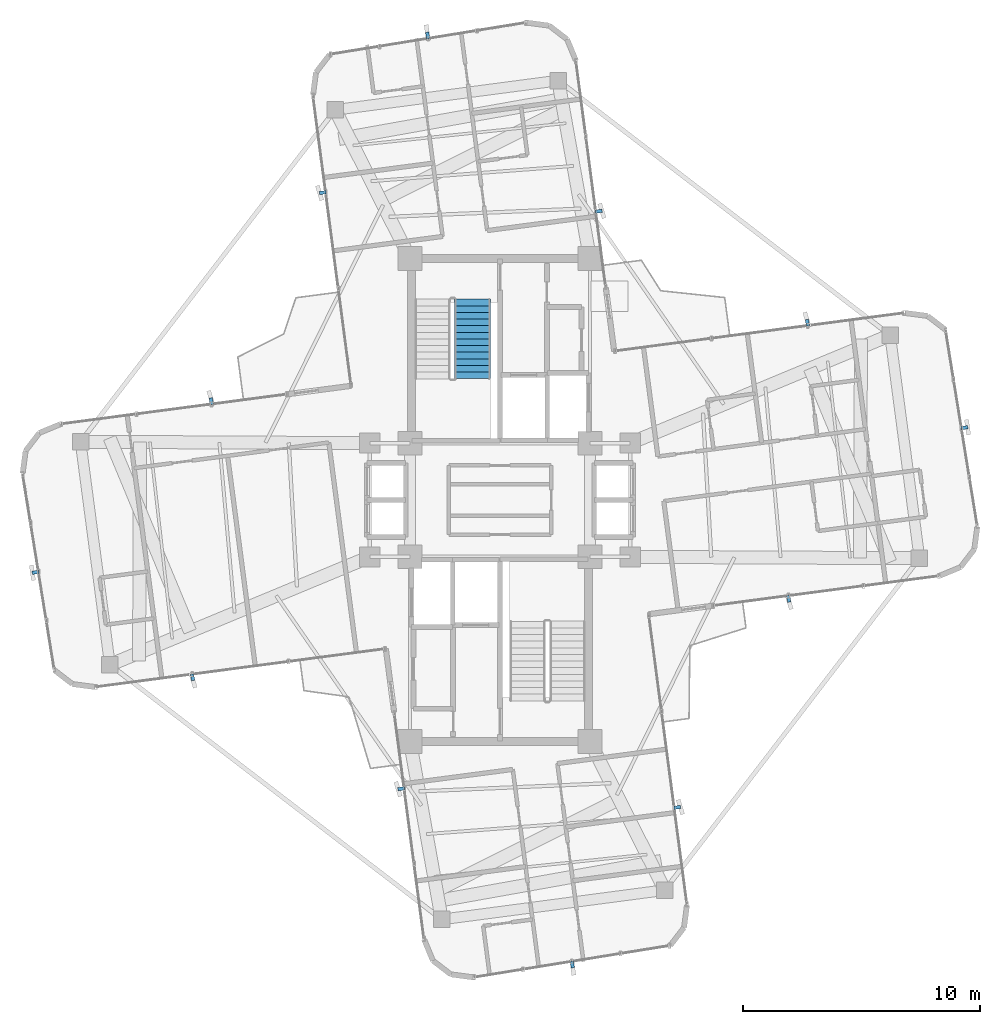
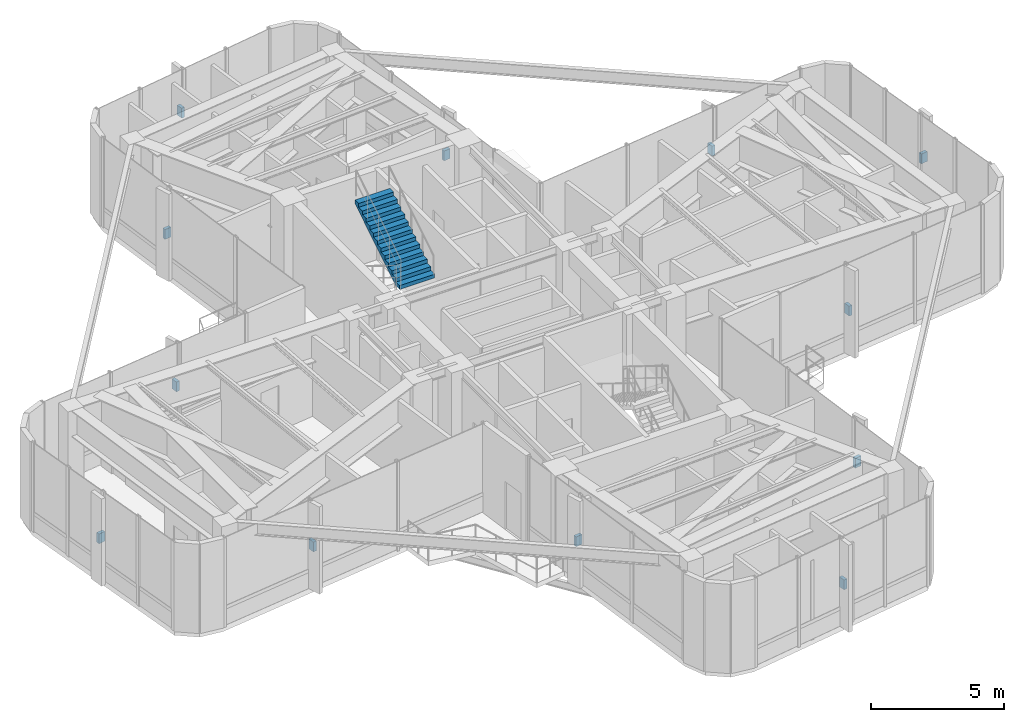
# One storey, part 17 of 18: 12 discrete accessories, 1 stair flight, 1 element without a shape of its own.
"""IFC4 building model written with IfcOpenShell, lengths in metres."""

from ifc_helpers import new_model, si_unit, direction, frame, origin, origin_2d, place, context, subcontext, project, spatial, polyline, rectangle, outline, extrude, source, transform, mapped, material, type_object, element, aggregate, save


model = new_model("IFC4")

# Units and contexts
model_context = context("Model", 3, precision=1e-05, world=origin(), true_north=direction((0.0, 1.0)))
body_context = subcontext(model_context, "Body", "Model", "MODEL_VIEW")
ifc_project = project(units=[si_unit("LENGTHUNIT", "METRE"), si_unit("AREAUNIT", "SQUARE_METRE"), si_unit("VOLUMEUNIT", "CUBIC_METRE"), si_unit("PLANEANGLEUNIT", "RADIAN"), si_unit("MASSUNIT", "GRAM", prefix="KILO")], contexts=[model_context])

# Site, building, storey
site_placement = place(None, origin())
site = spatial("IfcSite", under=ifc_project, at=site_placement, CompositionType="ELEMENT")
building_placement = place(site_placement, origin())
building = spatial("IfcBuilding", under=site, at=building_placement, Name="Sahyath Konkavel Grand Hotel", CompositionType="ELEMENT")
storey_placement = place(building_placement, frame((0.0, 0.0, 275.800048828125)))
storey = spatial("IfcBuildingStorey", under=building, at=storey_placement, Name="L77", CompositionType="ELEMENT", Elevation=275.800048828125)

# Stair, stair flight
ifc_material_1 = material(Name="Concrete C40/50", Category="concrete")
stair_type = type_object("IfcStairType", Name="STR-ST16-450", PredefinedType="HALF_TURN_STAIR", material=ifc_material_1)
stair_placement = place(storey_placement, origin())
stair = element("IfcStair", 1, at=stair_placement, inside=storey, type_object=stair_type, Name="L77 North Core Smokeproof Exit Stair ST-1", PredefinedType="HALF_TURN_STAIR")
stair_flight_type = type_object("IfcStairFlightType", Name="STF-ST16-450", PredefinedType="STRAIGHT", material=ifc_material_1)
stair_flight_placement = place(storey_placement, frame((-1.159912109375, 5.1201171875, 2.25), z_axis=(0.0, 0.0, 1.0), x_axis=(0.0, 1.0, 0.0)))
stair_flight = element("IfcStairFlight", 2, at=stair_flight_placement, type_object=stair_flight_type, Name="ST-1 flight 2", NumberOfRisers=13, NumberOfTreads=12, PredefinedType="STRAIGHT", RiserHeight=0.173076923, TreadLength=0.28, context=body_context, shape_type="SweptSolid", body=[
    extrude(outline(polyline([(0.0, 0.0), (0.0, 0.173095703125), (0.280029296875, 0.173095703125), (0.280029296875, 0.34619140625), (0.56005859375, 0.34619140625), (0.56005859375, 0.519287109375), (0.840087890625, 0.519287109375), (0.840087890625, 0.6923828125), (1.1201171875, 0.6923828125), (1.1201171875, 0.865478515625), (1.39990234375, 0.865478515625), (1.39990234375, 1.03857421875), (1.679931640625, 1.03857421875), (1.679931640625, 1.21142578125), (1.9599609375, 1.21142578125), (1.9599609375, 1.384521484375), (2.239990234375, 1.384521484375), (2.239990234375, 1.5576171875), (2.52001953125, 1.5576171875), (2.52001953125, 1.730712890625), (2.800048828125, 1.730712890625), (2.800048828125, 1.90380859375), (3.080078125, 1.90380859375), (3.080078125, 2.076904296875), (3.360107421875, 2.076904296875), (3.360107421875, 2.25), (3.360107421875, 1.900634765625), (0.28515625, 0.0), (0.0, 0.0)])), frame((0.0, 0.760009765625, 0.0), z_axis=(0.0, -1.0, 0.0), x_axis=(1.0, 0.0, 0.0)), (0.0, 0.0, 1.0), 1.52001953125),
])
aggregate(stair, [stair_flight])

# Discrete accessories
ifc_material_2 = material(Name="Steel E350", Category="steel")
discrete_accessory_type = type_object("IfcDiscreteAccessoryType", Name="ACC-FIN-BRACKET", PredefinedType="BRACKET", material=ifc_material_2)
shared_shape = source(origin(), body_context, "Body", "SweptSolid", [
    extrude(rectangle(XDim=0.280029296875, YDim=0.139892578125, at=origin_2d()), origin(), (0.0, 0.0, 1.0), 0.449951171875),
])
for number, where, z_axis, x_axis, name in (
    (3, (12.1923828125, -4.17431640625, 1.8251953125), (0.0, 0.0, 1.0), (0.13052619222, -0.991444861374, 0.0), "L77 Fin Support Bracket F0-1"),
    (4, (19.615234375, 3.052734375, 1.8251953125), (0.0, 0.0, 1.0), (0.987178088041, 0.159622750546, 0.0), "L77 Fin Support Bracket F4-2"),
    (5, (12.980224609375, 7.48828125, 1.8251953125), (0.0, 0.0, 1.0), (-0.13052619222, 0.991444861374, 0.0), "L77 Fin Support Bracket F7-1"),
    (6, (4.17431640625, 12.1923828125, 1.8251953125), (0.0, 0.0, 1.0), (0.991444861374, 0.13052619222, 0.0), "L77 Fin Support Bracket F8-1"),
    (7, (-3.052734375, 19.615234375, 1.8251953125), (0.0, 0.0, 1.0), (-0.159622750546, 0.987178088041, 0.0), "L77 Fin Support Bracket F12-2"),
    (8, (-7.48828125, 12.980224609375, 1.8251953125), (0.0, 0.0, 1.0), (-0.991444861374, -0.13052619222, 0.0), "L77 Fin Support Bracket F15-1"),
    (9, (-12.1923828125, 4.17431640625, 1.8251953125), (0.0, 0.0, 1.0), (-0.13052619222, 0.991444861374, 0.0), "L77 Fin Support Bracket F16-1"),
    (10, (-19.615234375, -3.052734375, 1.8251953125), (0.0, 0.0, 1.0), (-0.987178088041, -0.159622750546, 0.0), "L77 Fin Support Bracket F20-2"),
    (11, (-12.980224609375, -7.48828125, 1.8251953125), (0.0, 0.0, 1.0), (0.13052619222, -0.991444861374, 0.0), "L77 Fin Support Bracket F23-1"),
    (12, (-4.17431640625, -12.1923828125, 1.8251953125), (0.0, 0.0, 1.0), (-0.991444861374, -0.13052619222, 0.0), "L77 Fin Support Bracket F24-1"),
    (13, (3.052734375, -19.615234375, 1.8251953125), (0.0, 0.0, 1.0), (0.159622750546, -0.987178088041, 0.0), "L77 Fin Support Bracket F28-2"),
    (14, (7.48828125, -12.980224609375, 1.8251953125), (0.0, 0.0, 1.0), (0.991444861374, 0.13052619222, 0.0), "L77 Fin Support Bracket F31-1"),
):
    element("IfcDiscreteAccessory", number, at=place(storey_placement, frame(where, z_axis=z_axis, x_axis=x_axis)), inside=storey, type_object=discrete_accessory_type, Name=name, PredefinedType="BRACKET", context=body_context, shape_type="MappedRepresentation", body=[
        mapped(shared_shape, transform((0.0, 0.0, 0.0), scale=1.0)),
    ])

save(model, "model.ifc")
